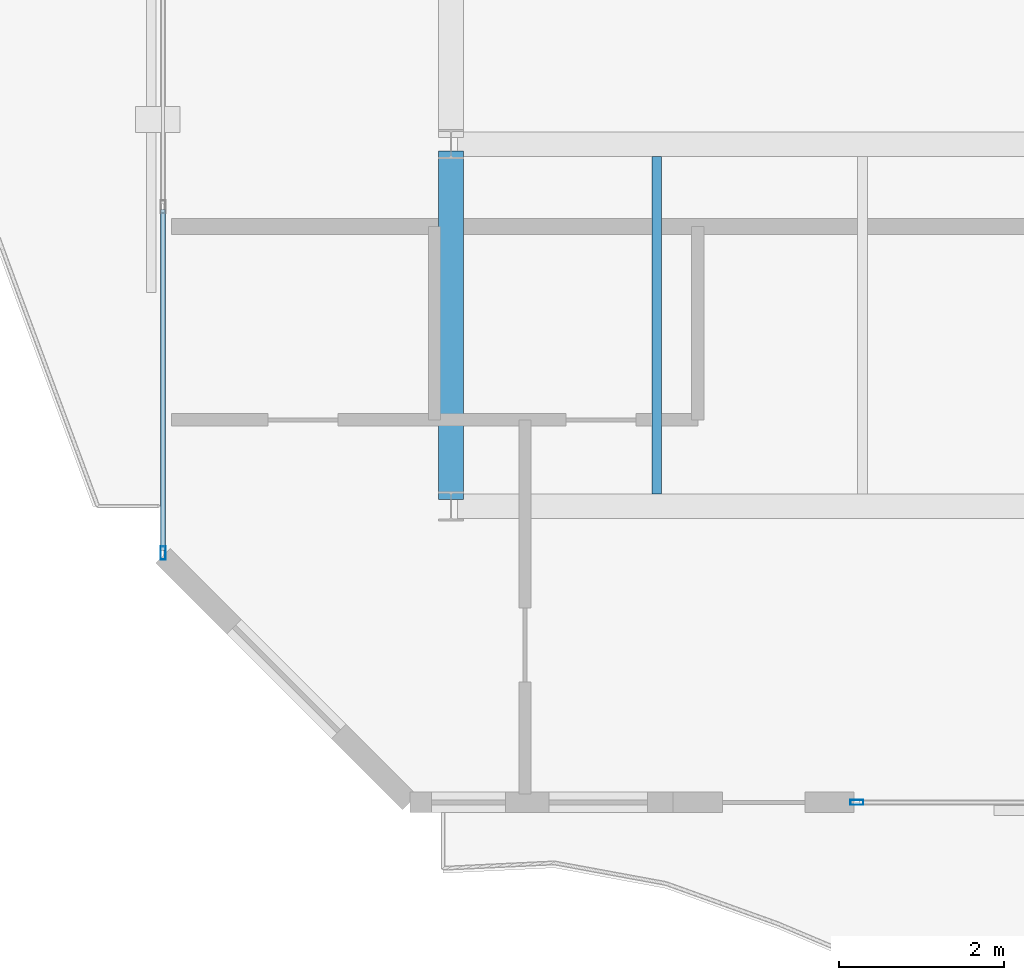
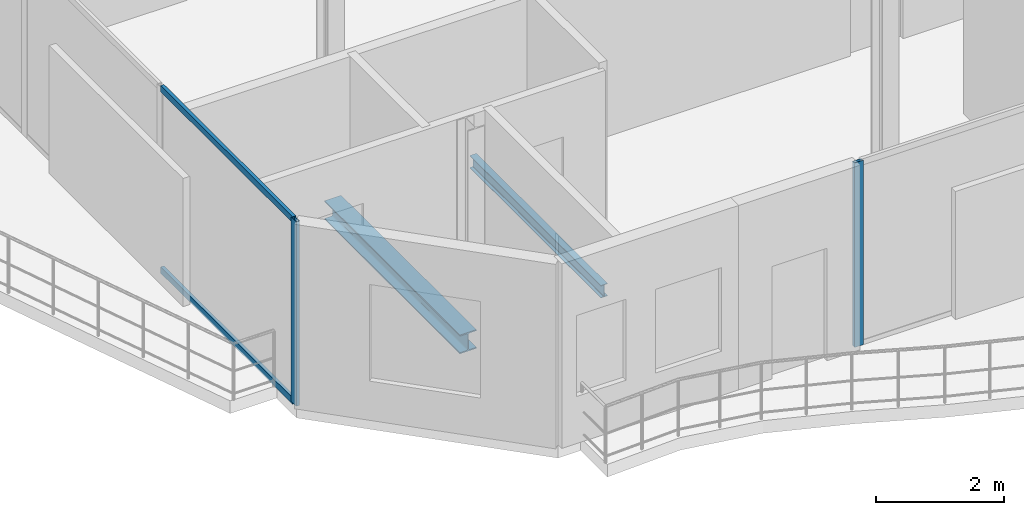
# One storey, part 3 of 23: 4 members, 2 beams, 2 elements without a shape of their own.
"""IFC4 building model written with IfcOpenShell, lengths in metres."""

from ifc_helpers import new_model, si_unit, direction, frame, origin, origin_2d, place, context, subcontext, project, spatial, hollow_rectangle, i_section, extrude, material, layer, layer_set, material_profile, profile_set, type_object, element, aggregate, save


model = new_model("IFC4")

# Units and contexts
model_context = context("Model", 3, precision=1e-05, world=origin(), true_north=direction((0.0, 1.0)))
body_context = subcontext(model_context, "Body", "Model", "MODEL_VIEW")
ifc_project = project(units=[si_unit("LENGTHUNIT", "METRE"), si_unit("AREAUNIT", "SQUARE_METRE"), si_unit("VOLUMEUNIT", "CUBIC_METRE"), si_unit("PLANEANGLEUNIT", "RADIAN"), si_unit("MASSUNIT", "GRAM", prefix="KILO")], contexts=[model_context])

# Site, building, storey
site_placement = place(None, origin())
site = spatial("IfcSite", under=ifc_project, at=site_placement, CompositionType="ELEMENT")
building_placement = place(site_placement, origin())
building = spatial("IfcBuilding", under=site, at=building_placement, Name="Catumbela Crestline Tower", CompositionType="ELEMENT")
storey_placement = place(building_placement, frame((0.0, 0.0, 252.6)))
storey = spatial("IfcBuildingStorey", under=building, at=storey_placement, Name="L65", CompositionType="ELEMENT", Elevation=252.6)

# Beams
ifc_material_1 = material(Name="Structural steel S355J2", Category="steel")
ifc_material_profile_1 = material_profile(ifc_material_1, i_section(OverallWidth=0.3, OverallDepth=0.36, WebThickness=0.0125, FlangeThickness=0.0225, FilletRadius=0.027, at=origin_2d()), Name="HEB 360")
ifc_profile_set_1 = profile_set([ifc_material_profile_1], Name="Structural steel S355J2")
beam_type_1 = type_object("IfcBeamType", Name="BG-HEB360", PredefinedType="BEAM", material=ifc_profile_set_1)
beam_1_placement = place(storey_placement, frame((8.5, 13.68, -0.44), z_axis=(0.0, 1.0, 0.0), x_axis=(-1.0, 0.0, 0.0)))
element("IfcBeam", 1, at=beam_1_placement, inside=storey, type_object=beam_type_1, Name="L65 Beam BM-L65-WNS31", PredefinedType="BEAM", context=body_context, shape_type="SweptSolid", body=[
    extrude(i_section(OverallWidth=0.3, OverallDepth=0.36, WebThickness=0.0125, FlangeThickness=0.0225, FilletRadius=0.027, at=origin_2d()), origin(), (0.0, 0.0, 1.0), 4.24),
])
ifc_material_profile_2 = material_profile(ifc_material_1, i_section(OverallWidth=0.12, OverallDepth=0.24, WebThickness=0.0062, FlangeThickness=0.0098, FilletRadius=0.015, at=origin_2d()), Name="IPE 240")
ifc_profile_set_2 = profile_set([ifc_material_profile_2], Name="Structural steel S355J2")
beam_type_2 = type_object("IfcBeamType", Name="BJ-IPE240", PredefinedType="JOIST", material=ifc_profile_set_2)
beam_2_placement = place(storey_placement, frame((11.0, 13.747, -0.38), z_axis=(0.0, 1.0, 0.0), x_axis=(-1.0, 0.0, 0.0)))
element("IfcBeam", 2, at=beam_2_placement, inside=storey, type_object=beam_type_2, Name="L65 Joist JS-L65-WG36", PredefinedType="JOIST", context=body_context, shape_type="SweptSolid", body=[
    extrude(i_section(OverallWidth=0.12, OverallDepth=0.24, WebThickness=0.0062, FlangeThickness=0.0098, FilletRadius=0.015, at=origin_2d()), origin(), (0.0, 0.0, 1.0), 4.106),
])

# Curtain wall, member
ifc_material_2 = material(Name="Aluminium alloy AW-6060-T66", Category="aluminium")
ifc_layer = layer(ifc_material_2, 0.18, Name="Aluminium alloy AW-6060-T66")
ifc_layer_set = layer_set([ifc_layer], Name="Aluminium alloy AW-6060-T66")
curtain_wall_type = type_object("IfcCurtainWallType", Name="CWU-Z4", PredefinedType="USERDEFINED", material=ifc_layer_set)
curtain_wall_1_placement = place(storey_placement, origin())
curtain_wall_1 = element("IfcCurtainWall", 3, at=curtain_wall_1_placement, inside=storey, type_object=curtain_wall_type, Name="L65 Unitised Curtain Wall CW-L65-E0S2", ObjectType="UNITISED", PredefinedType="USERDEFINED")
ifc_material_profile_3 = material_profile(ifc_material_2, hollow_rectangle(XDim=0.06, YDim=0.16, WallThickness=0.004, at=origin_2d()), Name="ALU 160x60x4")
ifc_profile_set_3 = profile_set([ifc_material_profile_3], Name="Aluminium alloy AW-6060-T66")
member_type_1 = type_object("IfcMemberType", Name="MUL-160X60", PredefinedType="MULLION", material=ifc_profile_set_3)
member_1_placement = place(storey_placement, frame((13.4325, 10.0, 0.0), z_axis=(0.0, 0.0, 1.0), x_axis=(0.0, 1.0, 0.0)))
member_1 = element("IfcMember", 4, at=member_1_placement, type_object=member_type_1, Name="CWU-Z4 mullion 1", PredefinedType="MULLION", context=body_context, shape_type="SweptSolid", body=[
    extrude(hollow_rectangle(XDim=0.06, YDim=0.16, WallThickness=0.004, at=origin_2d()), origin(), (0.0, 0.0, 1.0), 3.53),
])
aggregate(curtain_wall_1, [member_1])

# Curtain wall, members
curtain_wall_2_placement = place(storey_placement, origin())
curtain_wall_2 = element("IfcCurtainWall", 5, at=curtain_wall_2_placement, inside=storey, type_object=curtain_wall_type, Name="L65 Unitised Curtain Wall CW-L65-E9S2", ObjectType="UNITISED", PredefinedType="USERDEFINED")
member_2_placement = place(storey_placement, frame((5.0, 13.0325, 0.0), z_axis=(0.0, 0.0, 1.0), x_axis=(1.0, 0.0, 0.0)))
member_2 = element("IfcMember", 6, at=member_2_placement, type_object=member_type_1, Name="CWU-Z4 mullion 6", PredefinedType="MULLION", context=body_context, shape_type="SweptSolid", body=[
    extrude(hollow_rectangle(XDim=0.06, YDim=0.16, WallThickness=0.004, at=origin_2d()), origin(), (0.0, 0.0, 1.0), 3.53),
])
ifc_material_profile_4 = material_profile(ifc_material_2, hollow_rectangle(XDim=0.06, YDim=0.12, WallThickness=0.0035, at=origin_2d()), Name="ALU 120x60x3.5")
ifc_profile_set_4 = profile_set([ifc_material_profile_4], Name="Aluminium alloy AW-6060-T66")
member_type_2 = type_object("IfcMemberType", Name="TRN-120X60", PredefinedType="USERDEFINED", material=ifc_profile_set_4)
member_3_placement = place(storey_placement, frame((5.0, 17.2075, 0.03), z_axis=(0.0, -1.0, 0.0), x_axis=(1.0, 0.0, 0.0)))
member_3 = element("IfcMember", 7, at=member_3_placement, type_object=member_type_2, Name="CWU-Z4 transom 5.1", ObjectType="TRANSOM", PredefinedType="USERDEFINED", context=body_context, shape_type="SweptSolid", body=[
    extrude(hollow_rectangle(XDim=0.06, YDim=0.12, WallThickness=0.0035, at=origin_2d()), origin(), (0.0, 0.0, 1.0), 4.1425),
])
member_4_placement = place(storey_placement, frame((5.0, 17.2075, 3.5), z_axis=(0.0, -1.0, 0.0), x_axis=(1.0, 0.0, 0.0)))
member_4 = element("IfcMember", 8, at=member_4_placement, type_object=member_type_2, Name="CWU-Z4 transom 5.2", ObjectType="TRANSOM", PredefinedType="USERDEFINED", context=body_context, shape_type="SweptSolid", body=[
    extrude(hollow_rectangle(XDim=0.06, YDim=0.12, WallThickness=0.0035, at=origin_2d()), origin(), (0.0, 0.0, 1.0), 4.1425),
])
aggregate(curtain_wall_2, [member_2, member_3, member_4])

save(model, "model.ifc")
